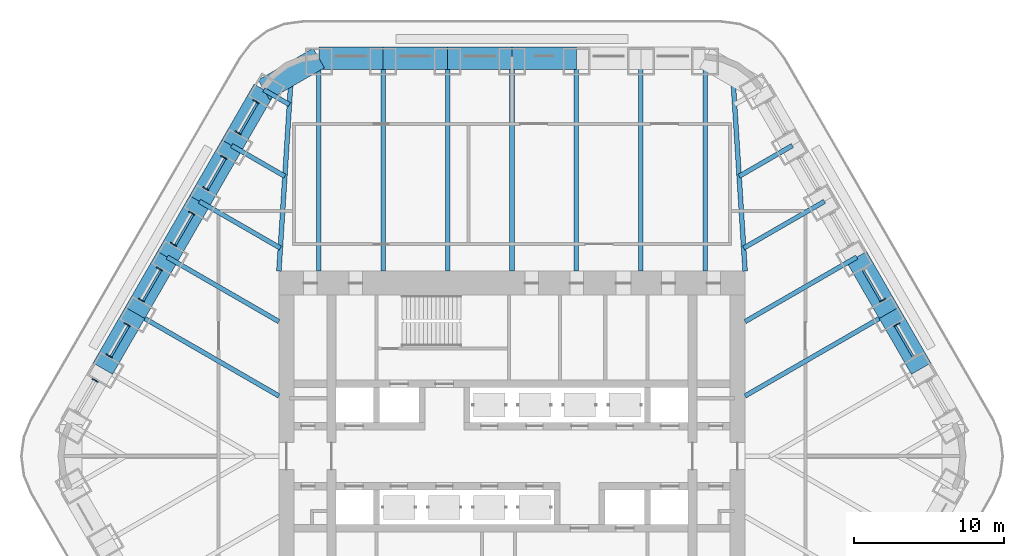
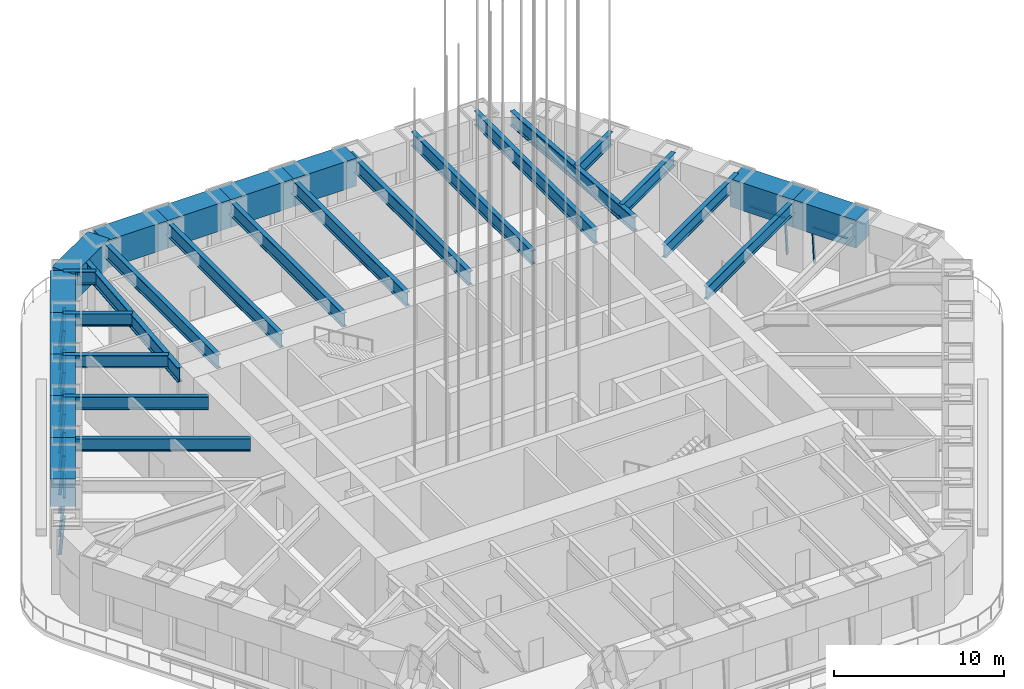
# One storey, part 4 of 14: 30 beams, 20 members, 8 elements without a shape of their own.
"""IFC4 building model written with IfcOpenShell, lengths in metres."""

from ifc_helpers import new_model, si_unit, direction, frame, origin, origin_2d, place, context, subcontext, project, spatial, rectangle, i_section, extrude, material, material_profile, profile_set, type_object, element, aggregate, save


model = new_model("IFC4")

# Units and contexts
model_context = context("Model", 3, precision=1e-05, world=origin(), true_north=direction((0.0, 1.0)))
body_context = subcontext(model_context, "Body", "Model", "MODEL_VIEW")
ifc_project = project(units=[si_unit("LENGTHUNIT", "METRE"), si_unit("AREAUNIT", "SQUARE_METRE"), si_unit("VOLUMEUNIT", "CUBIC_METRE"), si_unit("PLANEANGLEUNIT", "RADIAN"), si_unit("MASSUNIT", "GRAM", prefix="KILO")], contexts=[model_context])

# Site, building, storey
site_placement = place(None, origin())
site = spatial("IfcSite", under=ifc_project, at=site_placement, CompositionType="ELEMENT")
building_placement = place(site_placement, origin())
building = spatial("IfcBuilding", under=site, at=building_placement, Name="Tarfa Lantern Tower", CompositionType="ELEMENT")
storey_placement = place(building_placement, frame((0.0, 0.0, 306.5)))
storey = spatial("IfcBuildingStorey", under=building, at=storey_placement, Name="L69", CompositionType="ELEMENT", Elevation=306.5)

# Curtain wall, member
ifc_material_1 = material(Name="Aluminium framed curtain wall", Category="aluminium")
curtain_wall_type = type_object("IfcCurtainWallType", Name="CW5 CANTED GLAZING SKY LOBBY 2800", PredefinedType="USERDEFINED", material=ifc_material_1)
curtain_wall_1_placement = place(storey_placement, origin())
curtain_wall_1 = element("IfcCurtainWall", 1, at=curtain_wall_1_placement, inside=storey, type_object=curtain_wall_type, Name="CW5 NE L69", ObjectType="CURTAIN WALL", PredefinedType="USERDEFINED")
ifc_material_2 = material(Name="Aluminium mullion", Category="aluminium")
ifc_material_profile_1 = material_profile(ifc_material_2, rectangle(XDim=0.06494140625, YDim=0.199951171875, at=origin_2d()), Name="AL MULLION 65x200")
ifc_profile_set_1 = profile_set([ifc_material_profile_1], Name="Aluminium mullion")
member_type_1 = type_object("IfcMemberType", Name="CWM1 MULLION 65x200", PredefinedType="MULLION", material=ifc_profile_set_1)
member_1_placement = place(storey_placement, frame((25.686767578125, 8.80908203125, 0.0), z_axis=(-0.077032386753, -0.044465143199, 0.996036576854), x_axis=(0.499919672301, -0.866071776036, 0.0)))
member_1 = element("IfcMember", 2, at=member_1_placement, type_object=member_type_1, Name="CW5 mullion 2", PredefinedType="MULLION", context=body_context, shape_type="SweptSolid", body=[
    extrude(rectangle(XDim=0.06494140625, YDim=0.199951171875, at=origin_2d()), origin(), (0.0, 0.0, 1.0), 2.811279296875),
])

curtain_wall_2_placement = place(storey_placement, origin())
curtain_wall_2 = element("IfcCurtainWall", 3, at=curtain_wall_2_placement, inside=storey, type_object=curtain_wall_type, Name="CW5 NE L69", ObjectType="CURTAIN WALL", PredefinedType="USERDEFINED")
member_2_placement = place(storey_placement, frame((24.75439453125, 10.42431640625, 0.0), z_axis=(-0.077032386753, -0.044465143199, 0.996036576854), x_axis=(0.499919672301, -0.866071776036, 0.0)))
member_2 = element("IfcMember", 4, at=member_2_placement, type_object=member_type_1, Name="CW5 mullion 1", PredefinedType="MULLION", context=body_context, shape_type="SweptSolid", body=[
    extrude(rectangle(XDim=0.06494140625, YDim=0.199951171875, at=origin_2d()), origin(), (0.0, 0.0, 1.0), 2.811279296875),
])

# Curtain wall, members
curtain_wall_3_placement = place(storey_placement, origin())
curtain_wall_3 = element("IfcCurtainWall", 5, at=curtain_wall_3_placement, inside=storey, type_object=curtain_wall_type, Name="CW5 NW L69", ObjectType="CURTAIN WALL", PredefinedType="USERDEFINED")
member_3_placement = place(storey_placement, frame((-17.122802734375, 23.642333984375, 0.0), z_axis=(0.077032386753, -0.044465143199, 0.996036576854), x_axis=(0.499919672301, 0.866071776036, 0.0)))
member_3 = element("IfcMember", 6, at=member_3_placement, type_object=member_type_1, Name="CW5 mullion 1", PredefinedType="MULLION", context=body_context, shape_type="SweptSolid", body=[
    extrude(rectangle(XDim=0.06494140625, YDim=0.199951171875, at=origin_2d()), origin(), (0.0, 0.0, 1.0), 2.811279296875),
])
member_4_placement = place(storey_placement, frame((-18.331298828125, 21.54931640625, 0.0), z_axis=(0.077032386753, -0.044465143199, 0.996036576854), x_axis=(0.499919672301, 0.866071776036, 0.0)))
member_4 = element("IfcMember", 7, at=member_4_placement, type_object=member_type_1, Name="CW5 mullion 2", PredefinedType="MULLION", context=body_context, shape_type="SweptSolid", body=[
    extrude(rectangle(XDim=0.06494140625, YDim=0.199951171875, at=origin_2d()), origin(), (0.0, 0.0, 1.0), 2.811279296875),
])

curtain_wall_4_placement = place(storey_placement, origin())
curtain_wall_4 = element("IfcCurtainWall", 8, at=curtain_wall_4_placement, inside=storey, type_object=curtain_wall_type, Name="CW5 NW L69", ObjectType="CURTAIN WALL", PredefinedType="USERDEFINED")
member_5_placement = place(storey_placement, frame((-19.263916015625, 19.93408203125, 0.0), z_axis=(0.077032386753, -0.044465143199, 0.996036576854), x_axis=(0.499919672301, 0.866071776036, 0.0)))
member_5 = element("IfcMember", 9, at=member_5_placement, type_object=member_type_1, Name="CW5 mullion 1", PredefinedType="MULLION", context=body_context, shape_type="SweptSolid", body=[
    extrude(rectangle(XDim=0.06494140625, YDim=0.199951171875, at=origin_2d()), origin(), (0.0, 0.0, 1.0), 2.811279296875),
])
member_6_placement = place(storey_placement, frame((-20.472412109375, 17.8408203125, 0.0), z_axis=(0.077032386753, -0.044465143199, 0.996036576854), x_axis=(0.499919672301, 0.866071776036, 0.0)))
member_6 = element("IfcMember", 10, at=member_6_placement, type_object=member_type_1, Name="CW5 mullion 2", PredefinedType="MULLION", context=body_context, shape_type="SweptSolid", body=[
    extrude(rectangle(XDim=0.06494140625, YDim=0.199951171875, at=origin_2d()), origin(), (0.0, 0.0, 1.0), 2.811279296875),
])

curtain_wall_5_placement = place(storey_placement, origin())
curtain_wall_5 = element("IfcCurtainWall", 11, at=curtain_wall_5_placement, inside=storey, type_object=curtain_wall_type, Name="CW5 NW L69", ObjectType="CURTAIN WALL", PredefinedType="USERDEFINED")
member_7_placement = place(storey_placement, frame((-21.40478515625, 16.225830078125, 0.0), z_axis=(0.077032386753, -0.044465143199, 0.996036576854), x_axis=(0.499919672301, 0.866071776036, 0.0)))
member_7 = element("IfcMember", 12, at=member_7_placement, type_object=member_type_1, Name="CW5 mullion 1", PredefinedType="MULLION", context=body_context, shape_type="SweptSolid", body=[
    extrude(rectangle(XDim=0.06494140625, YDim=0.199951171875, at=origin_2d()), origin(), (0.0, 0.0, 1.0), 2.811279296875),
])
member_8_placement = place(storey_placement, frame((-22.61328125, 14.132568359375, 0.0), z_axis=(0.077032386753, -0.044465143199, 0.996036576854), x_axis=(0.499919672301, 0.866071776036, 0.0)))
member_8 = element("IfcMember", 13, at=member_8_placement, type_object=member_type_1, Name="CW5 mullion 2", PredefinedType="MULLION", context=body_context, shape_type="SweptSolid", body=[
    extrude(rectangle(XDim=0.06494140625, YDim=0.199951171875, at=origin_2d()), origin(), (0.0, 0.0, 1.0), 2.811279296875),
])

curtain_wall_6_placement = place(storey_placement, origin())
curtain_wall_6 = element("IfcCurtainWall", 14, at=curtain_wall_6_placement, inside=storey, type_object=curtain_wall_type, Name="CW5 NW L69", ObjectType="CURTAIN WALL", PredefinedType="USERDEFINED")
member_9_placement = place(storey_placement, frame((-23.5458984375, 12.517333984375, 0.0), z_axis=(0.077032386753, -0.044465143199, 0.996036576854), x_axis=(0.499919672301, 0.866071776036, 0.0)))
member_9 = element("IfcMember", 15, at=member_9_placement, type_object=member_type_1, Name="CW5 mullion 1", PredefinedType="MULLION", context=body_context, shape_type="SweptSolid", body=[
    extrude(rectangle(XDim=0.06494140625, YDim=0.199951171875, at=origin_2d()), origin(), (0.0, 0.0, 1.0), 2.811279296875),
])
member_10_placement = place(storey_placement, frame((-24.75439453125, 10.42431640625, 0.0), z_axis=(0.077032386753, -0.044465143199, 0.996036576854), x_axis=(0.499919672301, 0.866071776036, 0.0)))
member_10 = element("IfcMember", 16, at=member_10_placement, type_object=member_type_1, Name="CW5 mullion 2", PredefinedType="MULLION", context=body_context, shape_type="SweptSolid", body=[
    extrude(rectangle(XDim=0.06494140625, YDim=0.199951171875, at=origin_2d()), origin(), (0.0, 0.0, 1.0), 2.811279296875),
])

curtain_wall_7_placement = place(storey_placement, origin())
curtain_wall_7 = element("IfcCurtainWall", 17, at=curtain_wall_7_placement, inside=storey, type_object=curtain_wall_type, Name="CW5 NW L69", ObjectType="CURTAIN WALL", PredefinedType="USERDEFINED")
member_11_placement = place(storey_placement, frame((-25.686767578125, 8.80908203125, 0.0), z_axis=(0.077032386753, -0.044465143199, 0.996036576854), x_axis=(0.499919672301, 0.866071776036, 0.0)))
member_11 = element("IfcMember", 18, at=member_11_placement, type_object=member_type_1, Name="CW5 mullion 1", PredefinedType="MULLION", context=body_context, shape_type="SweptSolid", body=[
    extrude(rectangle(XDim=0.06494140625, YDim=0.199951171875, at=origin_2d()), origin(), (0.0, 0.0, 1.0), 2.811279296875),
])
member_12_placement = place(storey_placement, frame((-26.895263671875, 6.7158203125, 0.0), z_axis=(0.076946055247, -0.044465440504, 0.996043236603), x_axis=(0.500342721131, 0.865827443207, 0.0)))
member_12 = element("IfcMember", 19, at=member_12_placement, type_object=member_type_1, Name="CW5 mullion 2", PredefinedType="MULLION", context=body_context, shape_type="SweptSolid", body=[
    extrude(rectangle(XDim=0.06494140625, YDim=0.199951171875, at=origin_2d()), origin(), (0.0, 0.0, 1.0), 2.811279296875),
])

# Curtain wall, member
curtain_wall_8_placement = place(storey_placement, origin())
curtain_wall_8 = element("IfcCurtainWall", 20, at=curtain_wall_8_placement, inside=storey, type_object=curtain_wall_type, Name="CW5 NW L69", ObjectType="CURTAIN WALL", PredefinedType="USERDEFINED")
member_13_placement = place(storey_placement, frame((-27.827880859375, 5.100830078125, 0.0), z_axis=(0.077032386753, -0.044465143199, 0.996036576854), x_axis=(0.499919672301, 0.866071776036, 0.0)))
member_13 = element("IfcMember", 21, at=member_13_placement, type_object=member_type_1, Name="CW5 mullion 1", PredefinedType="MULLION", context=body_context, shape_type="SweptSolid", body=[
    extrude(rectangle(XDim=0.06494140625, YDim=0.199951171875, at=origin_2d()), origin(), (0.0, 0.0, 1.0), 2.811279296875),
])
aggregate(curtain_wall_8, [member_13])

# Member
ifc_material_3 = material(Name="Aluminium transom", Category="aluminium")
ifc_material_profile_2 = material_profile(ifc_material_3, rectangle(XDim=0.14990234375, YDim=0.06494140625, at=origin_2d()), Name="AL TRANSOM 150x65")
ifc_profile_set_2 = profile_set([ifc_material_profile_2], Name="Aluminium transom")
member_type_2 = type_object("IfcMemberType", Name="CWT1 TRANSOM 150x65", PredefinedType="USERDEFINED", material=ifc_profile_set_2)
member_14_placement = place(storey_placement, frame((26.6650390625, 6.62060546875, 2.767578125), z_axis=(-0.500012978079, 0.866017910757, 0.0), x_axis=(-0.866017910757, -0.500012978079, 0.0)))
member_14 = element("IfcMember", 22, at=member_14_placement, type_object=member_type_2, Name="CW5 transom 1.2", ObjectType="TRANSOM", PredefinedType="USERDEFINED", context=body_context, shape_type="SweptSolid", body=[
    extrude(rectangle(XDim=0.14990234375, YDim=0.06494140625, at=origin_2d()), origin(), (0.0, 0.0, 1.0), 2.35205078125),
])

aggregate(curtain_wall_1, [member_1, member_14])

member_15_placement = place(storey_placement, frame((24.524169921875, 10.328857421875, 2.767578125), z_axis=(-0.500012978079, 0.866017910757, 0.0), x_axis=(-0.866017910757, -0.500012978079, 0.0)))
member_15 = element("IfcMember", 23, at=member_15_placement, type_object=member_type_2, Name="CW5 transom 1.2", ObjectType="TRANSOM", PredefinedType="USERDEFINED", context=body_context, shape_type="SweptSolid", body=[
    extrude(rectangle(XDim=0.14990234375, YDim=0.06494140625, at=origin_2d()), origin(), (0.0, 0.0, 1.0), 2.35205078125),
])

aggregate(curtain_wall_2, [member_2, member_15])

member_16_placement = place(storey_placement, frame((-16.925048828125, 23.49072265625, 2.767578125), z_axis=(-0.500012978079, -0.866017910757, 0.0), x_axis=(0.866017910757, -0.500012978079, 0.0)))
member_16 = element("IfcMember", 24, at=member_16_placement, type_object=member_type_2, Name="CW5 transom 1.2", ObjectType="TRANSOM", PredefinedType="USERDEFINED", context=body_context, shape_type="SweptSolid", body=[
    extrude(rectangle(XDim=0.14990234375, YDim=0.06494140625, at=origin_2d()), origin(), (0.0, 0.0, 1.0), 2.35205078125),
])

aggregate(curtain_wall_3, [member_3, member_4, member_16])

member_17_placement = place(storey_placement, frame((-19.066162109375, 19.782470703125, 2.767578125), z_axis=(-0.500012978079, -0.866017910757, 0.0), x_axis=(0.866017910757, -0.500012978079, 0.0)))
member_17 = element("IfcMember", 25, at=member_17_placement, type_object=member_type_2, Name="CW5 transom 1.2", ObjectType="TRANSOM", PredefinedType="USERDEFINED", context=body_context, shape_type="SweptSolid", body=[
    extrude(rectangle(XDim=0.14990234375, YDim=0.06494140625, at=origin_2d()), origin(), (0.0, 0.0, 1.0), 2.35205078125),
])

aggregate(curtain_wall_4, [member_5, member_6, member_17])

member_18_placement = place(storey_placement, frame((-21.20703125, 16.073974609375, 2.767578125), z_axis=(-0.500012978079, -0.866017910757, 0.0), x_axis=(0.866017910757, -0.500012978079, 0.0)))
member_18 = element("IfcMember", 26, at=member_18_placement, type_object=member_type_2, Name="CW5 transom 1.2", ObjectType="TRANSOM", PredefinedType="USERDEFINED", context=body_context, shape_type="SweptSolid", body=[
    extrude(rectangle(XDim=0.14990234375, YDim=0.06494140625, at=origin_2d()), origin(), (0.0, 0.0, 1.0), 2.35205078125),
])

aggregate(curtain_wall_5, [member_7, member_8, member_18])

member_19_placement = place(storey_placement, frame((-23.34814453125, 12.36572265625, 2.767578125), z_axis=(-0.500012978079, -0.866017910757, 0.0), x_axis=(0.866017910757, -0.500012978079, 0.0)))
member_19 = element("IfcMember", 27, at=member_19_placement, type_object=member_type_2, Name="CW5 transom 1.2", ObjectType="TRANSOM", PredefinedType="USERDEFINED", context=body_context, shape_type="SweptSolid", body=[
    extrude(rectangle(XDim=0.14990234375, YDim=0.06494140625, at=origin_2d()), origin(), (0.0, 0.0, 1.0), 2.35205078125),
])

aggregate(curtain_wall_6, [member_9, member_10, member_19])

member_20_placement = place(storey_placement, frame((-25.489013671875, 8.657470703125, 2.767578125), z_axis=(-0.500012978079, -0.866017910757, 0.0), x_axis=(0.866017910757, -0.500012978079, 0.0)))
member_20 = element("IfcMember", 28, at=member_20_placement, type_object=member_type_2, Name="CW5 transom 1.2", ObjectType="TRANSOM", PredefinedType="USERDEFINED", context=body_context, shape_type="SweptSolid", body=[
    extrude(rectangle(XDim=0.14990234375, YDim=0.06494140625, at=origin_2d()), origin(), (0.0, 0.0, 1.0), 2.35205078125),
])

aggregate(curtain_wall_7, [member_11, member_12, member_20])

# Beams
ifc_material_4 = material(Name="Concrete C80/95", Category="concrete")
ifc_material_profile_3 = material_profile(ifc_material_4, rectangle(XDim=1.5, YDim=2.0, at=origin_2d()), Name="RC 1500x2000")
ifc_profile_set_3 = profile_set([ifc_material_profile_3], Name="Concrete C80/95")
beam_type_1 = type_object("IfcBeamType", Name="RB3 RC 1500x2000", PredefinedType="BEAM", material=ifc_profile_set_3)
beam_1_placement = place(storey_placement, frame((27.205810546875, 5.818359375, 3.800048828125), z_axis=(-0.500026801138, 0.866009929587, 0.0), x_axis=(-0.866009929587, -0.500026801138, 0.0)))
element("IfcBeam", 29, at=beam_1_placement, inside=storey, type_object=beam_type_1, Name="Edge beam NE1", PredefinedType="BEAM", context=body_context, shape_type="SweptSolid", body=[
    extrude(rectangle(XDim=1.5, YDim=2.0, at=origin_2d()), origin(), (0.0, 0.0, 1.0), 4.281982421875),
])
beam_2_placement = place(storey_placement, frame((25.064697265625, 9.526611328125, 3.800048828125), z_axis=(-0.500002112793, 0.866024183959, 0.0), x_axis=(-0.866024183959, -0.500002112793, 0.0)))
element("IfcBeam", 30, at=beam_2_placement, inside=storey, type_object=beam_type_1, Name="Edge beam NE2", PredefinedType="BEAM", context=body_context, shape_type="SweptSolid", body=[
    extrude(rectangle(XDim=1.5, YDim=2.0, at=origin_2d()), origin(), (0.0, 0.0, 1.0), 4.2822265625),
])
for number, where, z_axis, x_axis, name in (
    (31, (4.281982421875, 26.469970703125, 3.800048828125), (-1.0, 0.0, 0.0), (0.0, -1.0, 0.0), "Edge beam N2"),
    (32, (0.0, 26.469970703125, 3.800048828125), (-1.0, 0.0, 0.0), (0.0, -1.0, 0.0), "Edge beam N3"),
    (33, (-4.281982421875, 26.469970703125, 3.800048828125), (-1.0, 0.0, 0.0), (0.0, -1.0, 0.0), "Edge beam N4"),
    (34, (-8.56396484375, 26.469970703125, 3.800048828125), (-1.0, 0.0, 0.0), (0.0, -1.0, 0.0), "Edge beam N5"),
):
    element("IfcBeam", number, at=place(storey_placement, frame(where, z_axis=z_axis, x_axis=x_axis)), inside=storey, type_object=beam_type_1, Name=name, PredefinedType="BEAM", context=body_context, shape_type="SweptSolid", body=[
        extrude(rectangle(XDim=1.5, YDim=2.0, at=origin_2d()), origin(), (0.0, 0.0, 1.0), 4.281982421875),
    ])
beam_3_placement = place(storey_placement, frame((-12.845947265625, 26.469970703125, 3.800048828125), z_axis=(-0.866048788483, -0.499959494327, 0.0), x_axis=(0.499959494327, -0.866048788483, 0.0)))
element("IfcBeam", 35, at=beam_3_placement, inside=storey, type_object=beam_type_1, Name="Edge beam N6", PredefinedType="BEAM", context=body_context, shape_type="SweptSolid", body=[
    extrude(rectangle(XDim=1.5, YDim=2.0, at=origin_2d()), origin(), (0.0, 0.0, 1.0), 4.219970703125),
])
for number, where, z_axis, x_axis, name in (
    (36, (-16.500732421875, 24.360107421875, 3.800048828125), (-0.499959351497, -0.866048870937, 0.0), (0.866048870937, -0.499959351497, 0.0), "Edge beam NW0"),
    (37, (-18.6416015625, 20.651611328125, 3.800048828125), (-0.500026801138, -0.866009929587, 0.0), (0.866009929587, -0.500026801138, 0.0), "Edge beam NW1"),
    (38, (-20.78271484375, 16.943359375, 3.800048828125), (-0.499984039138, -0.866034618596, 0.0), (0.866034618596, -0.499984039138, 0.0), "Edge beam NW2"),
):
    element("IfcBeam", number, at=place(storey_placement, frame(where, z_axis=z_axis, x_axis=x_axis)), inside=storey, type_object=beam_type_1, Name=name, PredefinedType="BEAM", context=body_context, shape_type="SweptSolid", body=[
        extrude(rectangle(XDim=1.5, YDim=2.0, at=origin_2d()), origin(), (0.0, 0.0, 1.0), 4.281982421875),
    ])
beam_4_placement = place(storey_placement, frame((-22.923583984375, 13.235107421875, 3.800048828125), z_axis=(-0.500002112793, -0.866024183959, 0.0), x_axis=(0.866024183959, -0.500002112793, 0.0)))
element("IfcBeam", 39, at=beam_4_placement, inside=storey, type_object=beam_type_1, Name="Edge beam NW3", PredefinedType="BEAM", context=body_context, shape_type="SweptSolid", body=[
    extrude(rectangle(XDim=1.5, YDim=2.0, at=origin_2d()), origin(), (0.0, 0.0, 1.0), 4.2822265625),
])
beam_5_placement = place(storey_placement, frame((-25.064697265625, 9.526611328125, 3.800048828125), z_axis=(-0.500026801138, -0.866009929587, 0.0), x_axis=(0.866009929587, -0.500026801138, 0.0)))
element("IfcBeam", 40, at=beam_5_placement, inside=storey, type_object=beam_type_1, Name="Edge beam NW4", PredefinedType="BEAM", context=body_context, shape_type="SweptSolid", body=[
    extrude(rectangle(XDim=1.5, YDim=2.0, at=origin_2d()), origin(), (0.0, 0.0, 1.0), 4.281982421875),
])
ifc_material_5 = material(Name="Steel S460M", Category="steel")
ifc_material_profile_4 = material_profile(ifc_material_5, i_section(OverallWidth=0.302001953125, OverallDepth=1.008056640625, WebThickness=0.02099609375, FlangeThickness=0.0400390625, FilletRadius=0.030029296875, at=origin_2d()), Name="UB1016x305x349")
ifc_profile_set_4 = profile_set([ifc_material_profile_4], Name="Steel S460M")
beam_type_2 = type_object("IfcBeamType", Name="UB1016x305x349", PredefinedType="BEAM", material=ifc_profile_set_4)
for number, where, z_axis, x_axis, name in (
    (41, (12.845947265625, 26.469970703125, 4.2958984375), (0.0, -1.0, 0.0), (1.0, 0.0, 0.0), "Floor beam N0"),
    (42, (8.56396484375, 26.469970703125, 4.2958984375), (0.0, -1.0, 0.0), (1.0, 0.0, 0.0), "Floor beam N1"),
    (43, (4.281982421875, 26.469970703125, 4.2958984375), (0.0, -1.0, 0.0), (1.0, 0.0, 0.0), "Floor beam N2"),
    (44, (0.0, 26.469970703125, 4.2958984375), (0.0, -1.0, 0.0), (1.0, 0.0, 0.0), "Floor beam N3"),
    (45, (-4.281982421875, 26.469970703125, 4.2958984375), (0.0, -1.0, 0.0), (1.0, 0.0, 0.0), "Floor beam N4"),
    (46, (-8.56396484375, 26.469970703125, 4.2958984375), (0.0, -1.0, 0.0), (1.0, 0.0, 0.0), "Floor beam N5"),
    (47, (-12.845947265625, 26.469970703125, 4.2958984375), (0.0, -1.0, 0.0), (1.0, 0.0, 0.0), "Floor beam N6"),
):
    element("IfcBeam", number, at=place(storey_placement, frame(where, z_axis=z_axis, x_axis=x_axis)), inside=storey, type_object=beam_type_2, Name=name, PredefinedType="BEAM", context=body_context, shape_type="SweptSolid", body=[
        extrude(i_section(OverallWidth=0.302001953125, OverallDepth=1.008056640625, WebThickness=0.02099609375, FlangeThickness=0.0400390625, FilletRadius=0.030029296875, at=origin_2d()), origin(), (0.0, 0.0, 1.0), 14.169921875),
    ])
ifc_material_profile_5 = material_profile(ifc_material_5, i_section(OverallWidth=0.314208984375, OverallDepth=1.055908203125, WebThickness=0.035888671875, FlangeThickness=0.06396484375, FilletRadius=0.030029296875, at=origin_2d()), Name="UB1016x305x584")
ifc_profile_set_5 = profile_set([ifc_material_profile_5], Name="Steel S460M")
beam_type_3 = type_object("IfcBeamType", Name="UB1016x305x584", PredefinedType="BEAM", material=ifc_profile_set_5)
for number, where, z_axis, x_axis, name in (
    (48, (15.5, 12.300048828125, 4.27197265625), (-0.062906861542, 0.998019402001, 0.0), (-0.998019402001, -0.062906861542, 0.0), "Hip girder NE"),
    (49, (-15.5, 12.300048828125, 4.27197265625), (0.062906861542, 0.998019402001, 0.0), (-0.998019402001, 0.062906861542, 0.0), "Hip girder NW"),
):
    element("IfcBeam", number, at=place(storey_placement, frame(where, z_axis=z_axis, x_axis=x_axis)), inside=storey, type_object=beam_type_3, Name=name, PredefinedType="BEAM", context=body_context, shape_type="SweptSolid", body=[
        extrude(i_section(OverallWidth=0.314208984375, OverallDepth=1.055908203125, WebThickness=0.035888671875, FlangeThickness=0.06396484375, FilletRadius=0.030029296875, at=origin_2d()), origin(), (0.0, 0.0, 1.0), 13.14111328125),
    ])
ifc_material_profile_6 = material_profile(ifc_material_5, i_section(OverallWidth=0.305419921875, OverallDepth=0.91845703125, WebThickness=0.017333984375, FlangeThickness=0.02783203125, FilletRadius=0.01904296875, at=origin_2d()), Name="UB914x305x253")
ifc_profile_set_6 = profile_set([ifc_material_profile_6], Name="Steel S460M")
beam_type_4 = type_object("IfcBeamType", Name="UB914x305x253", PredefinedType="BEAM", material=ifc_profile_set_6)
beam_6_placement = place(storey_placement, frame((25.064697265625, 9.526611328125, 4.3408203125), z_axis=(-0.866023982312, -0.500002462055, 0.0), x_axis=(0.500002462055, -0.866023982312, 0.0)))
element("IfcBeam", 50, at=beam_6_placement, inside=storey, type_object=beam_type_4, Name="Floor beam NE2", PredefinedType="BEAM", context=body_context, shape_type="SweptSolid", body=[
    extrude(i_section(OverallWidth=0.305419921875, OverallDepth=0.91845703125, WebThickness=0.017333984375, FlangeThickness=0.02783203125, FilletRadius=0.01904296875, at=origin_2d()), origin(), (0.0, 0.0, 1.0), 11.04443359375),
])
beam_7_placement = place(storey_placement, frame((22.923583984375, 13.235107421875, 4.3408203125), z_axis=(-0.866019109593, -0.500010901701, 0.0), x_axis=(0.500010901701, -0.866019109593, 0.0)))
element("IfcBeam", 51, at=beam_7_placement, inside=storey, type_object=beam_type_4, Name="Floor beam NE3", PredefinedType="BEAM", context=body_context, shape_type="SweptSolid", body=[
    extrude(i_section(OverallWidth=0.305419921875, OverallDepth=0.91845703125, WebThickness=0.017333984375, FlangeThickness=0.02783203125, FilletRadius=0.01904296875, at=origin_2d()), origin(), (0.0, 0.0, 1.0), 8.572021484375),
])
beam_8_placement = place(storey_placement, frame((20.78271484375, 16.943359375, 4.3408203125), z_axis=(-0.866023926275, -0.500002559113, 0.0), x_axis=(0.500002559113, -0.866023926275, 0.0)))
element("IfcBeam", 52, at=beam_8_placement, inside=storey, type_object=beam_type_4, Name="Floor beam NE4", PredefinedType="BEAM", context=body_context, shape_type="SweptSolid", body=[
    extrude(i_section(OverallWidth=0.305419921875, OverallDepth=0.91845703125, WebThickness=0.017333984375, FlangeThickness=0.02783203125, FilletRadius=0.01904296875, at=origin_2d()), origin(), (0.0, 0.0, 1.0), 6.2119140625),
])
beam_9_placement = place(storey_placement, frame((18.6416015625, 20.651611328125, 4.3408203125), z_axis=(-0.866021442243, -0.500006861528, 0.0), x_axis=(0.500006861528, -0.866021442243, 0.0)))
element("IfcBeam", 53, at=beam_9_placement, inside=storey, type_object=beam_type_4, Name="Floor beam NE5", PredefinedType="BEAM", context=body_context, shape_type="SweptSolid", body=[
    extrude(i_section(OverallWidth=0.305419921875, OverallDepth=0.91845703125, WebThickness=0.017333984375, FlangeThickness=0.02783203125, FilletRadius=0.01904296875, at=origin_2d()), origin(), (0.0, 0.0, 1.0), 4.0869140625),
])
beam_10_placement = place(storey_placement, frame((-16.500732421875, 24.360107421875, 4.3408203125), z_axis=(0.866013576751, -0.500020484464, 0.0), x_axis=(0.500020484464, 0.866013576751, 0.0)))
element("IfcBeam", 54, at=beam_10_placement, inside=storey, type_object=beam_type_4, Name="Floor beam NW0", PredefinedType="BEAM", context=body_context, shape_type="SweptSolid", body=[
    extrude(i_section(OverallWidth=0.305419921875, OverallDepth=0.91845703125, WebThickness=0.017333984375, FlangeThickness=0.02783203125, FilletRadius=0.01904296875, at=origin_2d()), origin(), (0.0, 0.0, 1.0), 1.9619140625),
])
beam_11_placement = place(storey_placement, frame((-18.6416015625, 20.651611328125, 4.3408203125), z_axis=(0.866021442243, -0.500006861528, 0.0), x_axis=(0.500006861528, 0.866021442243, 0.0)))
element("IfcBeam", 55, at=beam_11_placement, inside=storey, type_object=beam_type_4, Name="Floor beam NW1", PredefinedType="BEAM", context=body_context, shape_type="SweptSolid", body=[
    extrude(i_section(OverallWidth=0.305419921875, OverallDepth=0.91845703125, WebThickness=0.017333984375, FlangeThickness=0.02783203125, FilletRadius=0.01904296875, at=origin_2d()), origin(), (0.0, 0.0, 1.0), 4.0869140625),
])
beam_12_placement = place(storey_placement, frame((-20.78271484375, 16.943359375, 4.3408203125), z_axis=(0.866023926275, -0.500002559113, 0.0), x_axis=(0.500002559113, 0.866023926275, 0.0)))
element("IfcBeam", 56, at=beam_12_placement, inside=storey, type_object=beam_type_4, Name="Floor beam NW2", PredefinedType="BEAM", context=body_context, shape_type="SweptSolid", body=[
    extrude(i_section(OverallWidth=0.305419921875, OverallDepth=0.91845703125, WebThickness=0.017333984375, FlangeThickness=0.02783203125, FilletRadius=0.01904296875, at=origin_2d()), origin(), (0.0, 0.0, 1.0), 6.2119140625),
])
beam_13_placement = place(storey_placement, frame((-22.923583984375, 13.235107421875, 4.3408203125), z_axis=(0.866019109593, -0.500010901701, 0.0), x_axis=(0.500010901701, 0.866019109593, 0.0)))
element("IfcBeam", 57, at=beam_13_placement, inside=storey, type_object=beam_type_4, Name="Floor beam NW3", PredefinedType="BEAM", context=body_context, shape_type="SweptSolid", body=[
    extrude(i_section(OverallWidth=0.305419921875, OverallDepth=0.91845703125, WebThickness=0.017333984375, FlangeThickness=0.02783203125, FilletRadius=0.01904296875, at=origin_2d()), origin(), (0.0, 0.0, 1.0), 8.572021484375),
])
beam_14_placement = place(storey_placement, frame((-25.064697265625, 9.526611328125, 4.3408203125), z_axis=(0.866023982312, -0.500002462055, 0.0), x_axis=(0.500002462055, 0.866023982312, 0.0)))
element("IfcBeam", 58, at=beam_14_placement, inside=storey, type_object=beam_type_4, Name="Floor beam NW4", PredefinedType="BEAM", context=body_context, shape_type="SweptSolid", body=[
    extrude(i_section(OverallWidth=0.305419921875, OverallDepth=0.91845703125, WebThickness=0.017333984375, FlangeThickness=0.02783203125, FilletRadius=0.01904296875, at=origin_2d()), origin(), (0.0, 0.0, 1.0), 11.04443359375),
])

save(model, "model.ifc")
